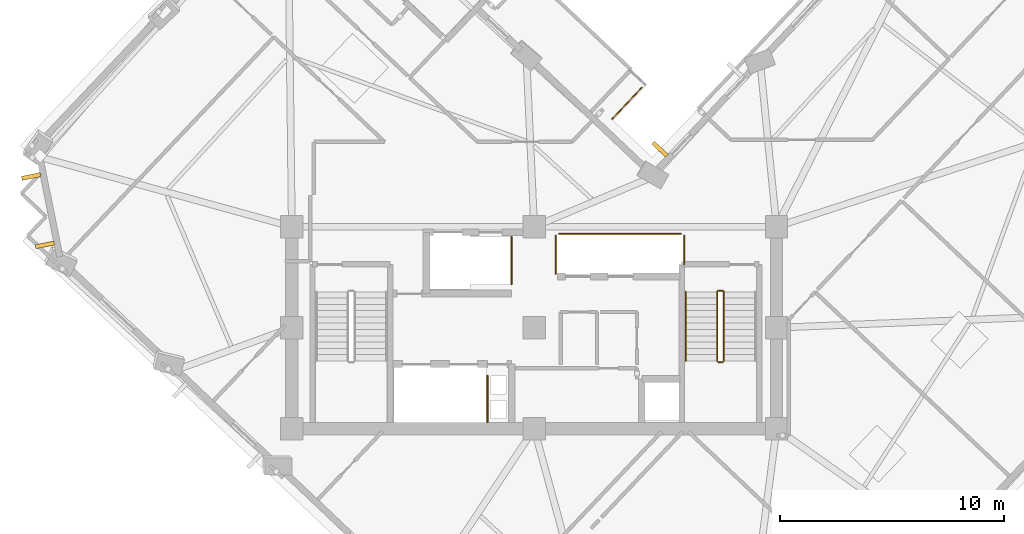
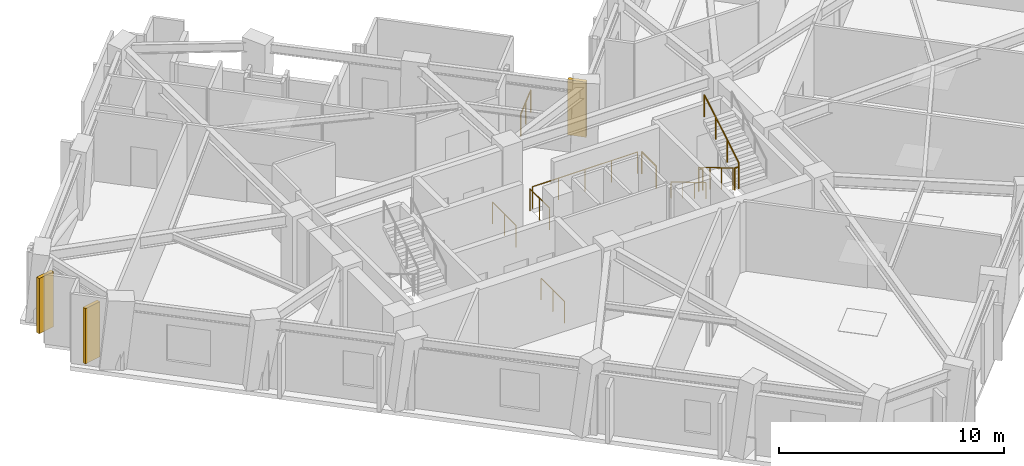
# One storey, part 10 of 12: 11 railings, 3 shading devices.
"""IFC4 building model written with IfcOpenShell, lengths in metres."""

from ifc_helpers import new_model, si_unit, direction, frame, origin, origin_2d, place, context, subcontext, project, spatial, rectangle, circle, extrude, material, layer, layer_set, type_object, element, save


model = new_model("IFC4")

# Units and contexts
model_context = context("Model", 3, precision=1e-05, world=origin(), true_north=direction((0.0, 1.0)))
body_context = subcontext(model_context, "Body", "Model", "MODEL_VIEW")
ifc_project = project(units=[si_unit("LENGTHUNIT", "METRE"), si_unit("AREAUNIT", "SQUARE_METRE"), si_unit("VOLUMEUNIT", "CUBIC_METRE"), si_unit("PLANEANGLEUNIT", "RADIAN"), si_unit("MASSUNIT", "GRAM", prefix="KILO")], contexts=[model_context])

# Site, building, storey
site_placement = place(None, origin())
site = spatial("IfcSite", under=ifc_project, at=site_placement, CompositionType="ELEMENT")
building_placement = place(site_placement, origin())
building = spatial("IfcBuilding", under=site, at=building_placement, Name="Gaonmaruhae Medical Tower", CompositionType="ELEMENT")
storey_placement = place(building_placement, frame((0.0, 0.0, 223.199951171875)))
storey = spatial("IfcBuildingStorey", under=building, at=storey_placement, Name="L53", CompositionType="ELEMENT", Elevation=223.199951171875)

# Railings
ifc_material_1 = material(Name="Stainless steel 316L and laminated safety glass", Category="steel")
ifc_layer = layer(ifc_material_1, 0.080078125)
ifc_layer_set = layer_set([ifc_layer], Name="Stainless steel 316L and laminated safety glass")
railing_type_1 = type_object("IfcRailingType", Name="GD-120 Outdoor Terrace Safety Glass & Steel Balustrade", PredefinedType="BALUSTRADE", material=ifc_layer_set)
railing_1_placement = place(storey_placement, frame((29.596435546875, 23.002197265625, 0.0)))
element("IfcRailing", 1, at=railing_1_placement, inside=storey, type_object=railing_type_1, Name="L53 Perimeter Slab Edge Safety Balustrade 09", PredefinedType="BALUSTRADE", context=body_context, shape_type="SweptSolid", body=[
    extrude(circle(Radius=0.02392578125, at=origin_2d()), frame((0.0, 0.0, 1.17578125), z_axis=(-0.687727027497, -0.725969376523, 0.0), x_axis=(0.725969376523, -0.687727027497, 0.0)), (0.0, 0.0, 1.0), 1.921630859375),
    extrude(circle(Radius=0.02099609375, at=origin_2d()), origin(), (0.0, 0.0, 1.0), 1.15185546875),
    extrude(circle(Radius=0.02099609375, at=origin_2d()), frame((-0.66064453125, -0.697509765625, 0.0)), (0.0, 0.0, 1.0), 1.15185546875),
    extrude(circle(Radius=0.02099609375, at=origin_2d()), frame((-1.321533203125, -1.39501953125, 0.0)), (0.0, 0.0, 1.0), 1.15185546875),
])
ifc_material_2 = material(Name="Stainless steel 304 handrail", Category="steel")
railing_type_2 = type_object("IfcRailingType", Name="HR-092 Continuous Stainless Steel Stair Handrail", PredefinedType="HANDRAIL", material=ifc_material_2)
railing_2_placement = place(storey_placement, frame((31.550048828125, 13.89990234375, 0.166748046875)))
element("IfcRailing", 2, at=railing_2_placement, inside=storey, type_object=railing_type_2, Name="L53 ST-02 stair handrail 1", PredefinedType="HANDRAIL", context=body_context, shape_type="SweptSolid", body=[
    extrude(circle(Radius=0.02392578125, at=origin_2d()), frame((0.0, 0.0, 0.8759765625), z_axis=(0.0, -0.859290745958, 0.51148745235), x_axis=(1.0, 0.0, 0.0)), (0.0, 0.0, 1.0), 3.584228515625),
    extrude(circle(Radius=0.02099609375, at=origin_2d()), origin(), (0.0, 0.0, 1.0), 0.851806640625),
    extrude(circle(Radius=0.02099609375, at=origin_2d()), frame((0.0, -1.026611328125, 0.611083984375)), (0.0, 0.0, 1.0), 0.851806640625),
    extrude(circle(Radius=0.02099609375, at=origin_2d()), frame((0.0, -2.05322265625, 1.22216796875)), (0.0, 0.0, 1.0), 0.851806640625),
    extrude(circle(Radius=0.02099609375, at=origin_2d()), frame((0.0, -3.079833984375, 1.833251953125)), (0.0, 0.0, 1.0), 0.851806640625),
])

# Shading devices
ifc_material_3 = material(Name="Pigmented coral precast concrete C45/55", Category="concrete")
shading_device_type = type_object("IfcShadingDeviceType", Name="SD-FIN1 Tower Vertical Coral Precast Shading Fin", PredefinedType="USERDEFINED", material=ifc_material_3)
for number, where, z_axis, x_axis, name in (
    (3, (30.40576171875, 20.257568359375, 0.132568359375), (0.0, 0.0, 1.0), (0.687721305114, 0.725974797422, 0.0), "L53 Vertical Coral Precast Shading Fin EN02"),
    (4, (2.998046875, 15.990966796875, 0.132568359375), (0.0, 0.0, 1.0), (-0.196510905209, 0.980501639027, 0.0), "L53 Vertical Coral Precast Shading Fin N03"),
    (5, (2.38720703125, 19.038330078125, 0.132568359375), (0.0, 0.0, 1.0), (-0.196510905209, 0.980501639027, 0.0), "L53 Vertical Coral Precast Shading Fin N03B"),
):
    element("IfcShadingDevice", number, at=place(storey_placement, frame(where, z_axis=z_axis, x_axis=x_axis)), inside=storey, type_object=shading_device_type, Name=name, ObjectType="FIN", PredefinedType="USERDEFINED", context=body_context, shape_type="SweptSolid", body=[
        extrude(rectangle(XDim=0.179931640625, YDim=0.85009765625, at=origin_2d()), origin(), (0.0, 0.0, 1.0), 3.0),
    ])

# Railings
ifc_material_4 = material(Name="Stainless steel 304 balustrade", Category="steel")
railing_type_3 = type_object("IfcRailingType", Name="SG-112 Stair Well & Ramp Void Safety Balustrade", PredefinedType="BALUSTRADE", material=ifc_material_4)
railing_3_placement = place(storey_placement, frame((32.949951171875, 13.89990234375, 0.166748046875)))
element("IfcRailing", 6, at=railing_3_placement, inside=storey, type_object=railing_type_3, Name="L53 ST-02 stair guard 1", PredefinedType="BALUSTRADE", context=body_context, shape_type="SweptSolid", body=[
    extrude(circle(Radius=0.02392578125, at=origin_2d()), frame((0.0, 0.0, 1.17578125), z_axis=(0.0, -0.859290745958, 0.51148745235), x_axis=(1.0, 0.0, 0.0)), (0.0, 0.0, 1.0), 3.584228515625),
    extrude(circle(Radius=0.02099609375, at=origin_2d()), origin(), (0.0, 0.0, 1.0), 1.15185546875),
    extrude(circle(Radius=0.02099609375, at=origin_2d()), frame((0.0, -1.026611328125, 0.611083984375)), (0.0, 0.0, 1.0), 1.15185546875),
    extrude(circle(Radius=0.02099609375, at=origin_2d()), frame((0.0, -2.05322265625, 1.22216796875)), (0.0, 0.0, 1.0), 1.15185546875),
    extrude(circle(Radius=0.02099609375, at=origin_2d()), frame((0.0, -3.079833984375, 1.833251953125)), (0.0, 0.0, 1.0), 1.15185546875),
])
railing_4_placement = place(storey_placement, frame((33.0, 10.77001953125, 2.0)))
element("IfcRailing", 7, at=railing_4_placement, inside=storey, type_object=railing_type_3, Name="L53 ST-02 stair guard 2", PredefinedType="BALUSTRADE", context=body_context, shape_type="SweptSolid", body=[
    extrude(circle(Radius=0.02392578125, at=origin_2d()), frame((0.0, 0.0, 1.17578125), z_axis=(1.0, 0.0, 0.0), x_axis=(0.0, 1.0, 0.0)), (0.0, 0.0, 1.0), 0.199951171875),
    extrude(circle(Radius=0.02099609375, at=origin_2d()), origin(), (0.0, 0.0, 1.0), 1.15185546875),
    extrude(circle(Radius=0.02099609375, at=origin_2d()), frame((0.199951171875, 0.0, 0.0)), (0.0, 0.0, 1.0), 1.15185546875),
])
railing_5_placement = place(storey_placement, frame((33.25, 10.820068359375, 2.166748046875)))
element("IfcRailing", 8, at=railing_5_placement, inside=storey, type_object=railing_type_3, Name="L53 ST-02 stair guard 3", PredefinedType="BALUSTRADE", context=body_context, shape_type="SweptSolid", body=[
    extrude(circle(Radius=0.02392578125, at=origin_2d()), frame((0.0, 0.0, 1.17578125), z_axis=(0.0, 0.859290745958, 0.51148745235), x_axis=(-1.0, 0.0, 0.0)), (0.0, 0.0, 1.0), 3.584228515625),
    extrude(circle(Radius=0.02099609375, at=origin_2d()), origin(), (0.0, 0.0, 1.0), 1.15185546875),
    extrude(circle(Radius=0.02099609375, at=origin_2d()), frame((0.0, 1.026611328125, 0.611083984375)), (0.0, 0.0, 1.0), 1.15185546875),
    extrude(circle(Radius=0.02099609375, at=origin_2d()), frame((0.0, 2.05322265625, 1.22216796875)), (0.0, 0.0, 1.0), 1.15185546875),
    extrude(circle(Radius=0.02099609375, at=origin_2d()), frame((0.0, 3.079833984375, 1.833251953125)), (0.0, 0.0, 1.0), 1.15185546875),
])
railing_6_placement = place(storey_placement, frame((33.0, 13.949951171875, 0.0)))
element("IfcRailing", 9, at=railing_6_placement, inside=storey, type_object=railing_type_3, Name="L53 ST-02 stair guard 4", PredefinedType="BALUSTRADE", context=body_context, shape_type="SweptSolid", body=[
    extrude(circle(Radius=0.02392578125, at=origin_2d()), frame((0.0, 0.0, 1.17578125), z_axis=(1.0, 0.0, 0.0), x_axis=(0.0, 1.0, 0.0)), (0.0, 0.0, 1.0), 0.199951171875),
    extrude(circle(Radius=0.02099609375, at=origin_2d()), origin(), (0.0, 0.0, 1.0), 1.15185546875),
    extrude(circle(Radius=0.02099609375, at=origin_2d()), frame((0.199951171875, 0.0, 0.0)), (0.0, 0.0, 1.0), 1.15185546875),
])
railing_7_placement = place(storey_placement, frame((22.719970703125, 10.159912109375, 0.0)))
element("IfcRailing", 10, at=railing_7_placement, inside=storey, type_object=railing_type_3, Name="L53 Shaft Edge Safety Guard 12", PredefinedType="BALUSTRADE", context=body_context, shape_type="SweptSolid", body=[
    extrude(circle(Radius=0.02392578125, at=origin_2d()), frame((0.0, 0.0, 1.17578125), z_axis=(0.0, -1.0, 0.0), x_axis=(1.0, 0.0, 0.0)), (0.0, 0.0, 1.0), 2.06494140625),
    extrude(circle(Radius=0.02099609375, at=origin_2d()), origin(), (0.0, 0.0, 1.0), 1.15185546875),
    extrude(circle(Radius=0.02099609375, at=origin_2d()), frame((0.0, -1.032470703125, 0.0)), (0.0, 0.0, 1.0), 1.15185546875),
    extrude(circle(Radius=0.02099609375, at=origin_2d()), frame((0.0, -2.06494140625, 0.0)), (0.0, 0.0, 1.0), 1.15185546875),
])
railing_8_placement = place(storey_placement, frame((23.794921875, 16.35498046875, 0.0)))
element("IfcRailing", 11, at=railing_8_placement, inside=storey, type_object=railing_type_3, Name="L53 Shaft Edge Safety Guard 13", PredefinedType="BALUSTRADE", context=body_context, shape_type="SweptSolid", body=[
    extrude(circle(Radius=0.02392578125, at=origin_2d()), frame((0.0, 0.0, 1.17578125), z_axis=(0.0, -1.0, 0.0), x_axis=(1.0, 0.0, 0.0)), (0.0, 0.0, 1.0), 2.10986328125),
    extrude(circle(Radius=0.02099609375, at=origin_2d()), origin(), (0.0, 0.0, 1.0), 1.15185546875),
    extrude(circle(Radius=0.02099609375, at=origin_2d()), frame((0.0, -1.054931640625, 0.0)), (0.0, 0.0, 1.0), 1.15185546875),
    extrude(circle(Radius=0.02099609375, at=origin_2d()), frame((0.0, -2.10986328125, 0.0)), (0.0, 0.0, 1.0), 1.15185546875),
])
railing_9_placement = place(storey_placement, frame((31.4951171875, 16.405029296875, 0.0)))
element("IfcRailing", 12, at=railing_9_placement, inside=storey, type_object=railing_type_3, Name="L53 Shaft Edge Safety Guard 14", PredefinedType="BALUSTRADE", context=body_context, shape_type="SweptSolid", body=[
    extrude(circle(Radius=0.02392578125, at=origin_2d()), frame((0.0, 0.0, 1.17578125), z_axis=(0.0, -1.0, 0.0), x_axis=(1.0, 0.0, 0.0)), (0.0, 0.0, 1.0), 1.284912109375),
    extrude(circle(Radius=0.02099609375, at=origin_2d()), origin(), (0.0, 0.0, 1.0), 1.15185546875),
    extrude(circle(Radius=0.02099609375, at=origin_2d()), frame((0.0, -1.284912109375, 0.0)), (0.0, 0.0, 1.0), 1.15185546875),
])
railing_10_placement = place(storey_placement, frame((25.7548828125, 14.695068359375, 0.0)))
element("IfcRailing", 13, at=railing_10_placement, inside=storey, type_object=railing_type_3, Name="L53 Shaft Edge Safety Guard 15", PredefinedType="BALUSTRADE", context=body_context, shape_type="SweptSolid", body=[
    extrude(circle(Radius=0.02392578125, at=origin_2d()), frame((0.0, 0.0, 1.17578125), z_axis=(0.0, 1.0, 0.0), x_axis=(-1.0, 0.0, 0.0)), (0.0, 0.0, 1.0), 1.7099609375),
    extrude(circle(Radius=0.02099609375, at=origin_2d()), origin(), (0.0, 0.0, 1.0), 1.15185546875),
    extrude(circle(Radius=0.02099609375, at=origin_2d()), frame((0.0, 0.85498046875, 0.0)), (0.0, 0.0, 1.0), 1.15185546875),
    extrude(circle(Radius=0.02099609375, at=origin_2d()), frame((0.0, 1.7099609375, 0.0)), (0.0, 0.0, 1.0), 1.15185546875),
])
railing_11_placement = place(storey_placement, frame((25.919921875, 16.4951171875, 0.0)))
element("IfcRailing", 14, at=railing_11_placement, inside=storey, type_object=railing_type_3, Name="L53 Shaft Edge Safety Guard 16", PredefinedType="BALUSTRADE", context=body_context, shape_type="SweptSolid", body=[
    extrude(circle(Radius=0.02392578125, at=origin_2d()), frame((0.0, 0.0, 1.17578125), z_axis=(1.0, 0.0, 0.0), x_axis=(0.0, 1.0, 0.0)), (0.0, 0.0, 1.0), 5.41015625),
    extrude(circle(Radius=0.02099609375, at=origin_2d()), origin(), (0.0, 0.0, 1.0), 1.15185546875),
    extrude(circle(Radius=0.02099609375, at=origin_2d()), frame((1.3525390625, 0.0, 0.0)), (0.0, 0.0, 1.0), 1.15185546875),
    extrude(circle(Radius=0.02099609375, at=origin_2d()), frame((2.705078125, 0.0, 0.0)), (0.0, 0.0, 1.0), 1.15185546875),
    extrude(circle(Radius=0.02099609375, at=origin_2d()), frame((4.0576171875, 0.0, 0.0)), (0.0, 0.0, 1.0), 1.15185546875),
    extrude(circle(Radius=0.02099609375, at=origin_2d()), frame((5.41015625, 0.0, 0.0)), (0.0, 0.0, 1.0), 1.15185546875),
])

save(model, "model.ifc")
